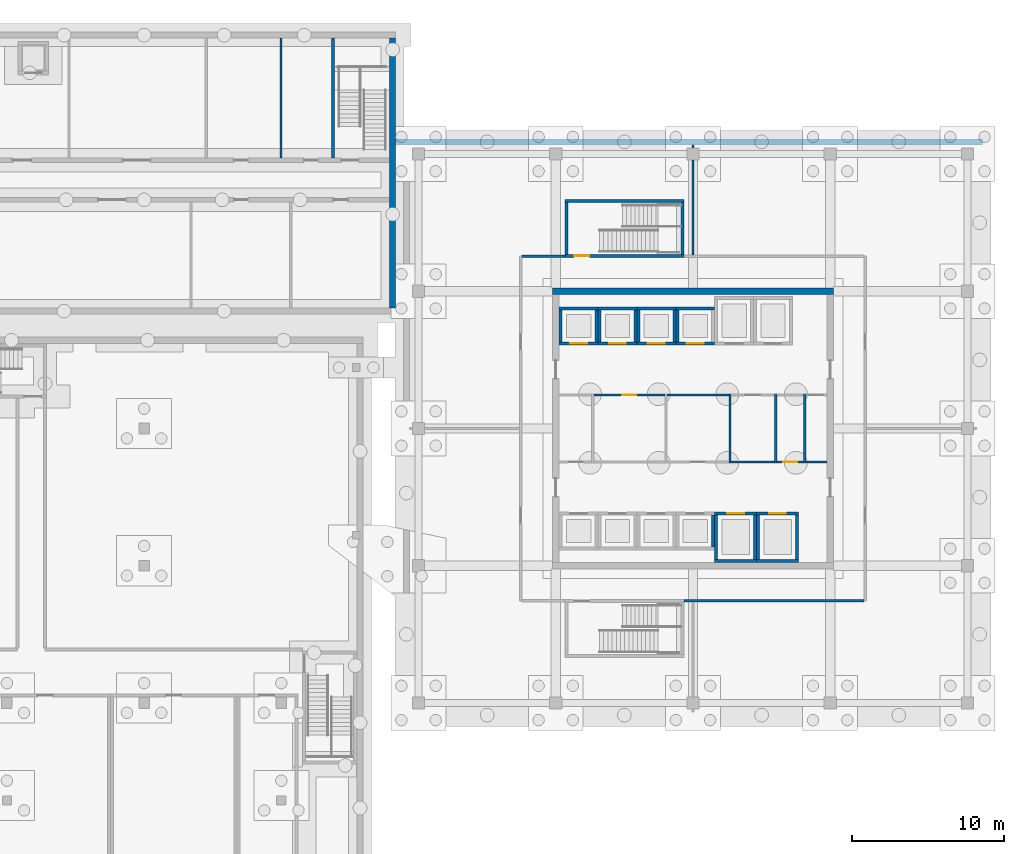
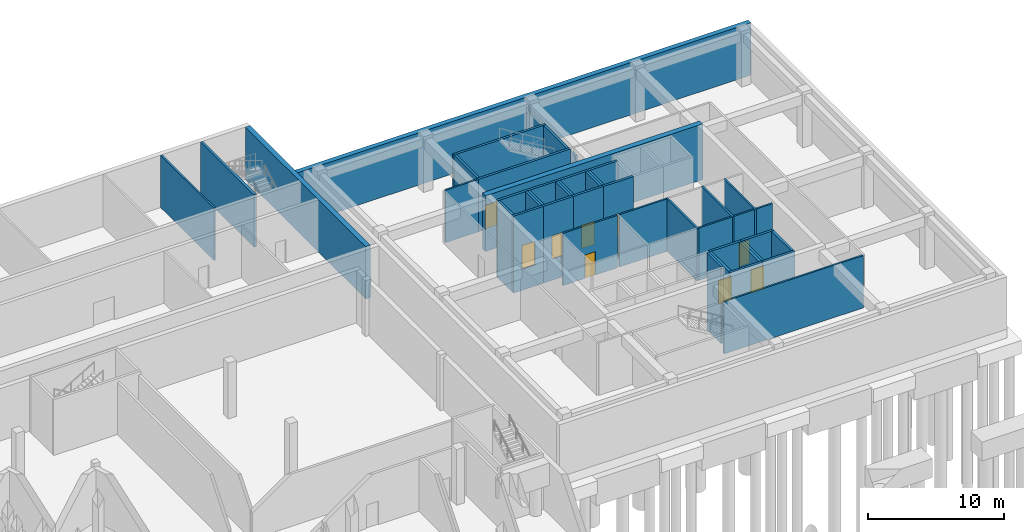
# One storey, part 12 of 17: 44 walls, 9 doors, 9 openings.
"""IFC4 building model written with IfcOpenShell, lengths in metres."""

from ifc_helpers import new_model, si_unit, direction, frame, frame_2d, origin, place, context, subcontext, project, spatial, rectangle, extrude, material, layer, layer_set, type_object, element, fill, save


model = new_model("IFC4")

# Units and contexts
model_context = context("Model", 3, precision=1e-05, world=origin(), true_north=direction((0.0, 1.0)))
body_context = subcontext(model_context, "Body", "Model", "MODEL_VIEW")
ifc_project = project(units=[si_unit("LENGTHUNIT", "METRE"), si_unit("AREAUNIT", "SQUARE_METRE"), si_unit("VOLUMEUNIT", "CUBIC_METRE"), si_unit("PLANEANGLEUNIT", "RADIAN"), si_unit("MASSUNIT", "GRAM", prefix="KILO")], contexts=[model_context])

# Site, building, storey
site_placement = place(None, origin())
site = spatial("IfcSite", under=ifc_project, at=site_placement, CompositionType="ELEMENT")
building_placement = place(site_placement, origin())
building = spatial("IfcBuilding", under=site, at=building_placement, Name="Tuart Plaza Theatre", CompositionType="ELEMENT")
storey_placement = place(building_placement, frame((0.0, 0.0, -10.0)))
storey = spatial("IfcBuildingStorey", under=building, at=storey_placement, Name="B2", CompositionType="ELEMENT", Elevation=-10.0)

# Wall
ifc_material_1 = material(Name="Masonry", Category="masonry")
ifc_layer_1 = layer(ifc_material_1, 0.14990234375)
ifc_layer_set_1 = layer_set([ifc_layer_1], Name="PARTITION BLK150 FRL -/120/120")
wall_type_1 = type_object("IfcWallType", Name="PARTITION BLK150 FRL -/120/120", PredefinedType="PARTITIONING", material=ifc_layer_set_1)
wall_1_placement = place(storey_placement, frame((104.97509765625, 91.75, 0.0), z_axis=(0.0, 0.0, 1.0), x_axis=(0.0, 1.0, 0.0)))
element("IfcWall", 1, at=wall_1_placement, inside=storey, type_object=wall_type_1, Name="P750", PredefinedType="PARTITIONING", context=body_context, shape_type="SweptSolid", body=[
    extrude(rectangle(XDim=7.85009765625, YDim=0.14990234375, at=frame_2d((3.925048828125, 0.0))), origin(), (0.0, 0.0, 1.0), 4.699951171875),
])

# Wall, opening, door
ifc_material_2 = material(Name="Masonry block", Category="masonry")
ifc_layer_2 = layer(ifc_material_2, 0.14990234375)
ifc_layer_set_2 = layer_set([ifc_layer_2], Name="PARTITION BLK150 MASONRYB FRL -/120/120")
wall_type_2 = type_object("IfcWallType", Name="PARTITION BLK150 MASONRYB FRL -/120/120", PredefinedType="PARTITIONING", material=ifc_layer_set_2)
wall_2_placement = place(storey_placement, frame((125.5, 76.199951171875, 0.0), z_axis=(0.0, 0.0, 1.0), x_axis=(1.0, 0.0, 0.0)))
wall_2 = element("IfcWall", 2, at=wall_2_placement, inside=storey, type_object=wall_type_2, Name="P513", PredefinedType="PARTITIONING", context=body_context, shape_type="SweptSolid", body=[
    extrude(rectangle(XDim=4.64990234375, YDim=0.14990234375, at=frame_2d((2.324951171875, 0.0))), origin(), (0.0, 0.0, 1.0), 4.699951171875),
])
opening_1_placement = place(wall_2_placement, frame((1.875, 0.0, 0.0)))
opening_1 = element("IfcOpeningElement", 3, at=opening_1_placement, cuts=wall_2, Name="Opening B2-045", PredefinedType="OPENING", context=body_context, shape_type="SweptSolid", body=[
    extrude(rectangle(XDim=0.89990234375, YDim=2.10009765625, at=frame_2d((0.449951171875, 1.050048828125))), frame((0.0, 0.0849609375, 0.0), z_axis=(0.0, -1.0, 0.0), x_axis=(1.0, 0.0, 0.0)), (0.0, 0.0, 1.0), 0.169921875),
])
ifc_material_3 = material(Name="Steel Grade 300", Category="steel")
door_type_1 = type_object("IfcDoorType", Name="DOOR 900x2100 steel single swing FRL -/120/30", OperationType="SINGLE_SWING_LEFT", PredefinedType="DOOR", material=ifc_material_3)
door_1_placement = place(opening_1_placement, frame((0.89990234375, 0.0, 0.0), z_axis=(0.0, 0.0, 1.0), x_axis=(-1.0, 0.0, 0.0)))
door_1 = element("IfcDoor", 4, at=door_1_placement, inside=storey, type_object=door_type_1, Name="B2-045", OperationType="SINGLE_SWING_LEFT", OverallHeight=2.10009765625, OverallWidth=0.89990234375, PredefinedType="DOOR", context=body_context, shape_type="SweptSolid", body=[
    extrude(rectangle(XDim=0.89990234375, YDim=2.10009765625, at=frame_2d((0.449951171875, 1.050048828125))), frame((0.0, 0.02490234375, 0.0), z_axis=(0.0, -1.0, 0.0), x_axis=(1.0, 0.0, 0.0)), (0.0, 0.0, 1.0), 0.050048828125),
])
fill(opening_1, door_1)

# Walls
wall_3_placement = place(storey_placement, frame((134.425048828125, 71.72509765625, 0.0), z_axis=(0.0, 0.0, 1.0), x_axis=(0.0, 1.0, 0.0)))
element("IfcWall", 5, at=wall_3_placement, inside=storey, type_object=wall_type_2, Name="P514", PredefinedType="PARTITIONING", context=body_context, shape_type="SweptSolid", body=[
    extrude(rectangle(XDim=4.5498046875, YDim=0.14990234375, at=frame_2d((2.27490234375, 0.0))), origin(), (0.0, 0.0, 1.0), 4.699951171875),
])
wall_4_placement = place(storey_placement, frame((130.300048828125, 76.199951171875, 0.0), z_axis=(0.0, 0.0, 1.0), x_axis=(1.0, 0.0, 0.0)))
element("IfcWall", 6, at=wall_4_placement, inside=storey, type_object=wall_type_2, Name="P516", PredefinedType="PARTITIONING", context=body_context, shape_type="SweptSolid", body=[
    extrude(rectangle(XDim=4.050048828125, YDim=0.14990234375, at=frame_2d((2.02490234375, 0.0))), origin(), (0.0, 0.0, 1.0), 4.699951171875),
])
wall_5_placement = place(storey_placement, frame((137.425048828125, 71.72509765625, 0.0), z_axis=(0.0, 0.0, 1.0), x_axis=(0.0, 1.0, 0.0)))
element("IfcWall", 7, at=wall_5_placement, inside=storey, type_object=wall_type_2, Name="P517", PredefinedType="PARTITIONING", context=body_context, shape_type="SweptSolid", body=[
    extrude(rectangle(XDim=4.5498046875, YDim=0.14990234375, at=frame_2d((2.27490234375, 0.0))), origin(), (0.0, 0.0, 1.0), 4.699951171875),
])
wall_6_placement = place(storey_placement, frame((134.5, 71.800048828125, 0.0), z_axis=(0.0, 0.0, 1.0), x_axis=(1.0, 0.0, 0.0)))
element("IfcWall", 8, at=wall_6_placement, inside=storey, type_object=wall_type_2, Name="P518", PredefinedType="PARTITIONING", context=body_context, shape_type="SweptSolid", body=[
    extrude(rectangle(XDim=2.85009765625, YDim=0.14990234375, at=frame_2d((1.425048828125, 0.0))), origin(), (0.0, 0.0, 1.0), 4.699951171875),
])
wall_7_placement = place(storey_placement, frame((139.324951171875, 71.72509765625, 0.0), z_axis=(0.0, 0.0, 1.0), x_axis=(0.0, 1.0, 0.0)))
element("IfcWall", 9, at=wall_7_placement, inside=storey, type_object=wall_type_2, Name="P520", PredefinedType="PARTITIONING", context=body_context, shape_type="SweptSolid", body=[
    extrude(rectangle(XDim=4.5498046875, YDim=0.14990234375, at=frame_2d((2.27490234375, 0.0))), origin(), (0.0, 0.0, 1.0), 4.699951171875),
])

# Wall, opening, door
wall_8_placement = place(storey_placement, frame((137.5, 71.800048828125, 0.0), z_axis=(0.0, 0.0, 1.0), x_axis=(1.0, 0.0, 0.0)))
wall_8 = element("IfcWall", 10, at=wall_8_placement, inside=storey, type_object=wall_type_2, Name="P521", PredefinedType="PARTITIONING", context=body_context, shape_type="SweptSolid", body=[
    extrude(rectangle(XDim=1.75, YDim=0.14990234375, at=frame_2d((0.875, 0.0))), origin(), (0.0, 0.0, 1.0), 4.699951171875),
])
opening_2_placement = place(wall_8_placement, frame((0.425048828125, 0.0, 0.0)))
opening_2 = element("IfcOpeningElement", 11, at=opening_2_placement, cuts=wall_8, Name="Opening B2-048", PredefinedType="OPENING", context=body_context, shape_type="SweptSolid", body=[
    extrude(rectangle(XDim=0.89990234375, YDim=2.10009765625, at=frame_2d((0.449951171875, 1.050048828125))), frame((0.0, 0.0849609375, 0.0), z_axis=(0.0, -1.0, 0.0), x_axis=(1.0, 0.0, 0.0)), (0.0, 0.0, 1.0), 0.169921875),
])
door_2_placement = place(opening_2_placement, origin())
door_2 = element("IfcDoor", 12, at=door_2_placement, inside=storey, type_object=door_type_1, Name="B2-048", OperationType="SINGLE_SWING_LEFT", OverallHeight=2.10009765625, OverallWidth=0.89990234375, PredefinedType="DOOR", context=body_context, shape_type="SweptSolid", body=[
    extrude(rectangle(XDim=0.89990234375, YDim=2.10009765625, at=frame_2d((0.449951171875, 1.050048828125))), frame((0.0, 0.02490234375, 0.0), z_axis=(0.0, -1.0, 0.0), x_axis=(1.0, 0.0, 0.0)), (0.0, 0.0, 1.0), 0.050048828125),
])
fill(opening_2, door_2)

# Walls
wall_9_placement = place(storey_placement, frame((139.39990234375, 71.800048828125, 0.0), z_axis=(0.0, 0.0, 1.0), x_axis=(1.0, 0.0, 0.0)))
element("IfcWall", 13, at=wall_9_placement, inside=storey, type_object=wall_type_2, Name="P523", PredefinedType="PARTITIONING", context=body_context, shape_type="SweptSolid", body=[
    extrude(rectangle(XDim=1.375, YDim=0.14990234375, at=frame_2d((0.6875, 0.0))), origin(), (0.0, 0.0, 1.0), 4.699951171875),
])
ifc_material_4 = material(Name="Masonry block", Category="masonry")
ifc_layer_3 = layer(ifc_material_4, 0.14990234375)
ifc_layer_set_3 = layer_set([ifc_layer_3], Name="PARTITION BLK150 MASONRYB FRL 120/-/-")
wall_type_3 = type_object("IfcWallType", Name="PARTITION BLK150 MASONRYB FRL 120/-/-", PredefinedType="PARTITIONING", material=ifc_layer_set_3)
wall_10_placement = place(storey_placement, frame((143.22509765625, 62.699951171875, 0.0), z_axis=(0.0, 0.0, 1.0), x_axis=(-1.0, 0.0, 0.0)))
element("IfcWall", 14, at=wall_10_placement, inside=storey, type_object=wall_type_3, Name="P527", PredefinedType="PARTITIONING", context=body_context, shape_type="SweptSolid", body=[
    extrude(rectangle(XDim=11.8251953125, YDim=0.14990234375, at=frame_2d((5.91259765625, 0.0))), origin(), (0.0, 0.0, 1.0), 4.699951171875),
])
wall_11_placement = place(storey_placement, frame((120.77490234375, 85.300048828125, 0.0), z_axis=(0.0, 0.0, 1.0), x_axis=(1.0, 0.0, 0.0)))
element("IfcWall", 15, at=wall_11_placement, inside=storey, type_object=wall_type_3, Name="P528", PredefinedType="PARTITIONING", context=body_context, shape_type="SweptSolid", body=[
    extrude(rectangle(XDim=2.8251953125, YDim=0.14990234375, at=frame_2d((1.41259765625, 0.0))), origin(), (0.0, 0.0, 1.0), 4.699951171875),
])
wall_12_placement = place(storey_placement, frame((132.0, 85.3740234375, 0.0), z_axis=(0.0, 0.0, 1.0), x_axis=(0.0, 1.0, 0.0)))
element("IfcWall", 16, at=wall_12_placement, inside=storey, type_object=wall_type_3, Name="P532", PredefinedType="PARTITIONING", context=body_context, shape_type="SweptSolid", body=[
    extrude(rectangle(XDim=7.22705078125, YDim=0.14990234375, at=frame_2d((3.613525390625, 0.0))), origin(), (0.0, 0.0, 1.0), 3.800048828125),
])
ifc_material_5 = material(Name="Concrete N40 (40 MPa)", Category="concrete")
ifc_layer_4 = layer(ifc_material_5, 0.199951171875)
ifc_layer_set_4 = layer_set([ifc_layer_4], Name="SHEAR WALL RC200 FRL 120/120/120")
wall_type_4 = type_object("IfcWallType", Name="SHEAR WALL RC200 FRL 120/120/120", PredefinedType="SHEAR", material=ifc_layer_set_4)
wall_13_placement = place(storey_placement, frame((133.324951171875, 66.22509765625, -1.89990234375), z_axis=(0.0, 0.0, 1.0), x_axis=(0.0, 1.0, 0.0)))
element("IfcWall", 17, at=wall_13_placement, inside=storey, type_object=wall_type_4, Name="W675", PredefinedType="SHEAR", context=body_context, shape_type="SweptSolid", body=[
    extrude(rectangle(XDim=2.099853515625, YDim=0.199951171875, at=frame_2d((1.0498046875, 0.0))), origin(), (0.0, 0.0, 1.0), 6.89990234375),
])

# Wall, opening, door
wall_14_placement = place(storey_placement, frame((123.22509765625, 79.574951171875, -1.89990234375), z_axis=(0.0, 0.0, 1.0), x_axis=(1.0, 0.0, 0.0)))
wall_14 = element("IfcWall", 18, at=wall_14_placement, inside=storey, type_object=wall_type_4, Name="W718", PredefinedType="SHEAR", context=body_context, shape_type="SweptSolid", body=[
    extrude(rectangle(XDim=2.5498046875, YDim=0.199951171875, at=frame_2d((1.27490234375, 0.0))), origin(), (0.0, 0.0, 1.0), 6.89990234375),
])
opening_3_placement = place(wall_14_placement, frame((0.72509765625, 0.0, 1.89990234375)))
opening_3 = element("IfcOpeningElement", 19, at=opening_3_placement, cuts=wall_14, Name="Opening B2-030", PredefinedType="OPENING", context=body_context, shape_type="SweptSolid", body=[
    extrude(rectangle(XDim=1.10009765625, YDim=2.10009765625, at=frame_2d((0.550048828125, 1.050048828125))), frame((0.0, 0.10986328125, 0.0), z_axis=(0.0, -1.0, 0.0), x_axis=(1.0, 0.0, 0.0)), (0.0, 0.0, 1.0), 0.219970703125),
])
ifc_material_6 = material(Name="Steel Grade 300", Category="steel")
door_type_2 = type_object("IfcDoorType", Name="LANDING DOOR 1100x2100 steel sliding FRL -/120/30", OperationType="SLIDING_TO_LEFT", PredefinedType="DOOR", material=ifc_material_6)
door_3_placement = place(opening_3_placement, origin())
door_3 = element("IfcDoor", 20, at=door_3_placement, inside=storey, type_object=door_type_2, Name="B2-030", OperationType="SLIDING_TO_LEFT", OverallHeight=2.10009765625, OverallWidth=1.10009765625, PredefinedType="DOOR", context=body_context, shape_type="SweptSolid", body=[
    extrude(rectangle(XDim=1.10009765625, YDim=2.10009765625, at=frame_2d((0.550048828125, 1.050048828125))), frame((0.0, 0.02490234375, 0.0), z_axis=(0.0, -1.0, 0.0), x_axis=(1.0, 0.0, 0.0)), (0.0, 0.0, 1.0), 0.050048828125),
])
fill(opening_3, door_3)

# Walls
wall_15_placement = place(storey_placement, frame((125.675048828125, 79.675048828125, -1.89990234375), z_axis=(0.0, 0.0, 1.0), x_axis=(0.0, 1.0, 0.0)))
element("IfcWall", 21, at=wall_15_placement, inside=storey, type_object=wall_type_4, Name="W719", PredefinedType="SHEAR", context=body_context, shape_type="SweptSolid", body=[
    extrude(rectangle(XDim=2.099853515625, YDim=0.199951171875, at=frame_2d((1.0498046875, 0.0))), origin(), (0.0, 0.0, 1.0), 6.89990234375),
])
wall_16_placement = place(storey_placement, frame((125.77490234375, 81.875, -1.89990234375), z_axis=(0.0, 0.0, 1.0), x_axis=(-1.0, 0.0, 0.0)))
element("IfcWall", 22, at=wall_16_placement, inside=storey, type_object=wall_type_4, Name="W720", PredefinedType="SHEAR", context=body_context, shape_type="SweptSolid", body=[
    extrude(rectangle(XDim=2.5498046875, YDim=0.199951171875, at=frame_2d((1.27490234375, 0.0))), origin(), (0.0, 0.0, 1.0), 6.89990234375),
])
wall_17_placement = place(storey_placement, frame((123.324951171875, 81.77490234375, -1.89990234375), z_axis=(0.0, 0.0, 1.0), x_axis=(0.0, -1.0, 0.0)))
element("IfcWall", 23, at=wall_17_placement, inside=storey, type_object=wall_type_4, Name="W721", PredefinedType="SHEAR", context=body_context, shape_type="SweptSolid", body=[
    extrude(rectangle(XDim=2.099853515625, YDim=0.199951171875, at=frame_2d((1.0498046875, 0.0))), origin(), (0.0, 0.0, 1.0), 6.89990234375),
])

# Wall, opening, door
wall_18_placement = place(storey_placement, frame((125.77490234375, 79.574951171875, -1.89990234375), z_axis=(0.0, 0.0, 1.0), x_axis=(1.0, 0.0, 0.0)))
wall_18 = element("IfcWall", 24, at=wall_18_placement, inside=storey, type_object=wall_type_4, Name="W790", PredefinedType="SHEAR", context=body_context, shape_type="SweptSolid", body=[
    extrude(rectangle(XDim=2.550048828125, YDim=0.199951171875, at=frame_2d((1.27490234375, 0.0))), origin(), (0.0, 0.0, 1.0), 6.89990234375),
])
opening_4_placement = place(wall_18_placement, frame((0.72509765625, 0.0, 1.89990234375)))
opening_4 = element("IfcOpeningElement", 25, at=opening_4_placement, cuts=wall_18, Name="Opening B2-031", PredefinedType="OPENING", context=body_context, shape_type="SweptSolid", body=[
    extrude(rectangle(XDim=1.10009765625, YDim=2.10009765625, at=frame_2d((0.550048828125, 1.050048828125))), frame((0.0, 0.10986328125, 0.0), z_axis=(0.0, -1.0, 0.0), x_axis=(1.0, 0.0, 0.0)), (0.0, 0.0, 1.0), 0.219970703125),
])
door_4_placement = place(opening_4_placement, origin())
door_4 = element("IfcDoor", 26, at=door_4_placement, inside=storey, type_object=door_type_2, Name="B2-031", OperationType="SLIDING_TO_LEFT", OverallHeight=2.10009765625, OverallWidth=1.10009765625, PredefinedType="DOOR", context=body_context, shape_type="SweptSolid", body=[
    extrude(rectangle(XDim=1.10009765625, YDim=2.10009765625, at=frame_2d((0.550048828125, 1.050048828125))), frame((0.0, 0.02490234375, 0.0), z_axis=(0.0, -1.0, 0.0), x_axis=(1.0, 0.0, 0.0)), (0.0, 0.0, 1.0), 0.050048828125),
])
fill(opening_4, door_4)

# Walls
wall_19_placement = place(storey_placement, frame((128.22509765625, 79.675048828125, -1.89990234375), z_axis=(0.0, 0.0, 1.0), x_axis=(0.0, 1.0, 0.0)))
element("IfcWall", 27, at=wall_19_placement, inside=storey, type_object=wall_type_4, Name="W791", PredefinedType="SHEAR", context=body_context, shape_type="SweptSolid", body=[
    extrude(rectangle(XDim=2.099853515625, YDim=0.199951171875, at=frame_2d((1.0498046875, 0.0))), origin(), (0.0, 0.0, 1.0), 6.89990234375),
])
wall_20_placement = place(storey_placement, frame((128.324951171875, 81.875, -1.89990234375), z_axis=(0.0, 0.0, 1.0), x_axis=(-1.0, 0.0, 0.0)))
element("IfcWall", 28, at=wall_20_placement, inside=storey, type_object=wall_type_4, Name="W792", PredefinedType="SHEAR", context=body_context, shape_type="SweptSolid", body=[
    extrude(rectangle(XDim=2.550048828125, YDim=0.199951171875, at=frame_2d((1.27490234375, 0.0))), origin(), (0.0, 0.0, 1.0), 6.89990234375),
])
wall_21_placement = place(storey_placement, frame((125.875, 81.77490234375, -1.89990234375), z_axis=(0.0, 0.0, 1.0), x_axis=(0.0, -1.0, 0.0)))
element("IfcWall", 29, at=wall_21_placement, inside=storey, type_object=wall_type_4, Name="W793", PredefinedType="SHEAR", context=body_context, shape_type="SweptSolid", body=[
    extrude(rectangle(XDim=2.099853515625, YDim=0.199951171875, at=frame_2d((1.0498046875, 0.0))), origin(), (0.0, 0.0, 1.0), 6.89990234375),
])

# Wall, opening, door
wall_22_placement = place(storey_placement, frame((128.324951171875, 79.574951171875, -1.89990234375), z_axis=(0.0, 0.0, 1.0), x_axis=(1.0, 0.0, 0.0)))
wall_22 = element("IfcWall", 30, at=wall_22_placement, inside=storey, type_object=wall_type_4, Name="W862", PredefinedType="SHEAR", context=body_context, shape_type="SweptSolid", body=[
    extrude(rectangle(XDim=2.550048828125, YDim=0.199951171875, at=frame_2d((1.27490234375, 0.0))), origin(), (0.0, 0.0, 1.0), 6.89990234375),
])
opening_5_placement = place(wall_22_placement, frame((0.72509765625, 0.0, 1.89990234375)))
opening_5 = element("IfcOpeningElement", 31, at=opening_5_placement, cuts=wall_22, Name="Opening B2-032", PredefinedType="OPENING", context=body_context, shape_type="SweptSolid", body=[
    extrude(rectangle(XDim=1.10009765625, YDim=2.10009765625, at=frame_2d((0.550048828125, 1.050048828125))), frame((0.0, 0.10986328125, 0.0), z_axis=(0.0, -1.0, 0.0), x_axis=(1.0, 0.0, 0.0)), (0.0, 0.0, 1.0), 0.219970703125),
])
door_5_placement = place(opening_5_placement, origin())
door_5 = element("IfcDoor", 32, at=door_5_placement, inside=storey, type_object=door_type_2, Name="B2-032", OperationType="SLIDING_TO_LEFT", OverallHeight=2.10009765625, OverallWidth=1.10009765625, PredefinedType="DOOR", context=body_context, shape_type="SweptSolid", body=[
    extrude(rectangle(XDim=1.10009765625, YDim=2.10009765625, at=frame_2d((0.550048828125, 1.050048828125))), frame((0.0, 0.02490234375, 0.0), z_axis=(0.0, -1.0, 0.0), x_axis=(1.0, 0.0, 0.0)), (0.0, 0.0, 1.0), 0.050048828125),
])
fill(opening_5, door_5)

# Walls
wall_23_placement = place(storey_placement, frame((130.77490234375, 79.675048828125, -1.89990234375), z_axis=(0.0, 0.0, 1.0), x_axis=(0.0, 1.0, 0.0)))
element("IfcWall", 33, at=wall_23_placement, inside=storey, type_object=wall_type_4, Name="W863", PredefinedType="SHEAR", context=body_context, shape_type="SweptSolid", body=[
    extrude(rectangle(XDim=2.099853515625, YDim=0.199951171875, at=frame_2d((1.0498046875, 0.0))), origin(), (0.0, 0.0, 1.0), 6.89990234375),
])
wall_24_placement = place(storey_placement, frame((130.875, 81.875, -1.89990234375), z_axis=(0.0, 0.0, 1.0), x_axis=(-1.0, 0.0, 0.0)))
element("IfcWall", 34, at=wall_24_placement, inside=storey, type_object=wall_type_4, Name="W864", PredefinedType="SHEAR", context=body_context, shape_type="SweptSolid", body=[
    extrude(rectangle(XDim=2.550048828125, YDim=0.199951171875, at=frame_2d((1.27490234375, 0.0))), origin(), (0.0, 0.0, 1.0), 6.89990234375),
])
wall_25_placement = place(storey_placement, frame((128.425048828125, 81.77490234375, -1.89990234375), z_axis=(0.0, 0.0, 1.0), x_axis=(0.0, -1.0, 0.0)))
element("IfcWall", 35, at=wall_25_placement, inside=storey, type_object=wall_type_4, Name="W865", PredefinedType="SHEAR", context=body_context, shape_type="SweptSolid", body=[
    extrude(rectangle(XDim=2.099853515625, YDim=0.199951171875, at=frame_2d((1.0498046875, 0.0))), origin(), (0.0, 0.0, 1.0), 6.89990234375),
])

# Wall, opening, door
wall_26_placement = place(storey_placement, frame((130.875, 79.574951171875, -1.89990234375), z_axis=(0.0, 0.0, 1.0), x_axis=(1.0, 0.0, 0.0)))
wall_26 = element("IfcWall", 36, at=wall_26_placement, inside=storey, type_object=wall_type_4, Name="W934", PredefinedType="SHEAR", context=body_context, shape_type="SweptSolid", body=[
    extrude(rectangle(XDim=2.550048828125, YDim=0.199951171875, at=frame_2d((1.27490234375, 0.0))), origin(), (0.0, 0.0, 1.0), 6.89990234375),
])
opening_6_placement = place(wall_26_placement, frame((0.72509765625, 0.0, 1.89990234375)))
opening_6 = element("IfcOpeningElement", 37, at=opening_6_placement, cuts=wall_26, Name="Opening B2-033", PredefinedType="OPENING", context=body_context, shape_type="SweptSolid", body=[
    extrude(rectangle(XDim=1.10009765625, YDim=2.10009765625, at=frame_2d((0.550048828125, 1.050048828125))), frame((0.0, 0.10986328125, 0.0), z_axis=(0.0, -1.0, 0.0), x_axis=(1.0, 0.0, 0.0)), (0.0, 0.0, 1.0), 0.219970703125),
])
door_6_placement = place(opening_6_placement, origin())
door_6 = element("IfcDoor", 38, at=door_6_placement, inside=storey, type_object=door_type_2, Name="B2-033", OperationType="SLIDING_TO_LEFT", OverallHeight=2.10009765625, OverallWidth=1.10009765625, PredefinedType="DOOR", context=body_context, shape_type="SweptSolid", body=[
    extrude(rectangle(XDim=1.10009765625, YDim=2.10009765625, at=frame_2d((0.550048828125, 1.050048828125))), frame((0.0, 0.02490234375, 0.0), z_axis=(0.0, -1.0, 0.0), x_axis=(1.0, 0.0, 0.0)), (0.0, 0.0, 1.0), 0.050048828125),
])
fill(opening_6, door_6)

# Walls
wall_27_placement = place(storey_placement, frame((133.425048828125, 81.875, -1.89990234375), z_axis=(0.0, 0.0, 1.0), x_axis=(-1.0, 0.0, 0.0)))
element("IfcWall", 39, at=wall_27_placement, inside=storey, type_object=wall_type_4, Name="W936", PredefinedType="SHEAR", context=body_context, shape_type="SweptSolid", body=[
    extrude(rectangle(XDim=2.550048828125, YDim=0.199951171875, at=frame_2d((1.27490234375, 0.0))), origin(), (0.0, 0.0, 1.0), 6.89990234375),
])
wall_28_placement = place(storey_placement, frame((130.97509765625, 81.77490234375, -1.89990234375), z_axis=(0.0, 0.0, 1.0), x_axis=(0.0, -1.0, 0.0)))
element("IfcWall", 40, at=wall_28_placement, inside=storey, type_object=wall_type_4, Name="W937", PredefinedType="SHEAR", context=body_context, shape_type="SweptSolid", body=[
    extrude(rectangle(XDim=2.099853515625, YDim=0.199951171875, at=frame_2d((1.0498046875, 0.0))), origin(), (0.0, 0.0, 1.0), 6.89990234375),
])
wall_29_placement = place(storey_placement, frame((133.425048828125, 65.324951171875, -1.89990234375), z_axis=(0.0, 0.0, 1.0), x_axis=(1.0, 0.0, 0.0)))
element("IfcWall", 41, at=wall_29_placement, inside=storey, type_object=wall_type_4, Name="W1006", PredefinedType="SHEAR", context=body_context, shape_type="SweptSolid", body=[
    extrude(rectangle(XDim=2.75, YDim=0.199951171875, at=frame_2d((1.375, 0.0))), origin(), (0.0, 0.0, 1.0), 6.89990234375),
])
wall_30_placement = place(storey_placement, frame((136.074951171875, 65.425048828125, -1.89990234375), z_axis=(0.0, 0.0, 1.0), x_axis=(0.0, 1.0, 0.0)))
element("IfcWall", 42, at=wall_30_placement, inside=storey, type_object=wall_type_4, Name="W1007", PredefinedType="SHEAR", context=body_context, shape_type="SweptSolid", body=[
    extrude(rectangle(XDim=2.89990234375, YDim=0.199951171875, at=frame_2d((1.449951171875, 0.0))), origin(), (0.0, 0.0, 1.0), 6.89990234375),
])

# Wall, opening, door
wall_31_placement = place(storey_placement, frame((136.175048828125, 68.425048828125, -1.89990234375), z_axis=(0.0, 0.0, 1.0), x_axis=(-1.0, 0.0, 0.0)))
wall_31 = element("IfcWall", 43, at=wall_31_placement, inside=storey, type_object=wall_type_4, Name="W1008", PredefinedType="SHEAR", context=body_context, shape_type="SweptSolid", body=[
    extrude(rectangle(XDim=2.75, YDim=0.199951171875, at=frame_2d((1.375, 0.0))), origin(), (0.0, 0.0, 1.0), 6.89990234375),
])
opening_7_placement = place(wall_31_placement, frame((0.824951171875, 0.0, 1.89990234375)))
opening_7 = element("IfcOpeningElement", 44, at=opening_7_placement, cuts=wall_31, Name="Opening B2-034", PredefinedType="OPENING", context=body_context, shape_type="SweptSolid", body=[
    extrude(rectangle(XDim=1.10009765625, YDim=2.10009765625, at=frame_2d((0.550048828125, 1.050048828125))), frame((0.0, 0.10986328125, 0.0), z_axis=(0.0, -1.0, 0.0), x_axis=(1.0, 0.0, 0.0)), (0.0, 0.0, 1.0), 0.219970703125),
])
door_7_placement = place(opening_7_placement, origin())
door_7 = element("IfcDoor", 45, at=door_7_placement, inside=storey, type_object=door_type_2, Name="B2-034", OperationType="SLIDING_TO_LEFT", OverallHeight=2.10009765625, OverallWidth=1.10009765625, PredefinedType="DOOR", context=body_context, shape_type="SweptSolid", body=[
    extrude(rectangle(XDim=1.10009765625, YDim=2.10009765625, at=frame_2d((0.550048828125, 1.050048828125))), frame((0.0, 0.02490234375, 0.0), z_axis=(0.0, -1.0, 0.0), x_axis=(1.0, 0.0, 0.0)), (0.0, 0.0, 1.0), 0.050048828125),
])
fill(opening_7, door_7)

# Walls
wall_32_placement = place(storey_placement, frame((133.52490234375, 68.324951171875, -1.89990234375), z_axis=(0.0, 0.0, 1.0), x_axis=(0.0, -1.0, 0.0)))
element("IfcWall", 46, at=wall_32_placement, inside=storey, type_object=wall_type_4, Name="W1009", PredefinedType="SHEAR", context=body_context, shape_type="SweptSolid", body=[
    extrude(rectangle(XDim=2.89990234375, YDim=0.199951171875, at=frame_2d((1.449951171875, 0.0))), origin(), (0.0, 0.0, 1.0), 6.89990234375),
])
wall_33_placement = place(storey_placement, frame((136.175048828125, 65.324951171875, -1.89990234375), z_axis=(0.0, 0.0, 1.0), x_axis=(1.0, 0.0, 0.0)))
element("IfcWall", 47, at=wall_33_placement, inside=storey, type_object=wall_type_4, Name="W1082", PredefinedType="SHEAR", context=body_context, shape_type="SweptSolid", body=[
    extrude(rectangle(XDim=2.75, YDim=0.199951171875, at=frame_2d((1.375, 0.0))), origin(), (0.0, 0.0, 1.0), 6.89990234375),
])
wall_34_placement = place(storey_placement, frame((138.824951171875, 65.425048828125, -1.89990234375), z_axis=(0.0, 0.0, 1.0), x_axis=(0.0, 1.0, 0.0)))
element("IfcWall", 48, at=wall_34_placement, inside=storey, type_object=wall_type_4, Name="W1083", PredefinedType="SHEAR", context=body_context, shape_type="SweptSolid", body=[
    extrude(rectangle(XDim=2.89990234375, YDim=0.199951171875, at=frame_2d((1.449951171875, 0.0))), origin(), (0.0, 0.0, 1.0), 6.89990234375),
])

# Wall, opening, door
wall_35_placement = place(storey_placement, frame((138.925048828125, 68.425048828125, -1.89990234375), z_axis=(0.0, 0.0, 1.0), x_axis=(-1.0, 0.0, 0.0)))
wall_35 = element("IfcWall", 49, at=wall_35_placement, inside=storey, type_object=wall_type_4, Name="W1084", PredefinedType="SHEAR", context=body_context, shape_type="SweptSolid", body=[
    extrude(rectangle(XDim=2.75, YDim=0.199951171875, at=frame_2d((1.375, 0.0))), origin(), (0.0, 0.0, 1.0), 6.89990234375),
])
opening_8_placement = place(wall_35_placement, frame((0.824951171875, 0.0, 1.89990234375)))
opening_8 = element("IfcOpeningElement", 50, at=opening_8_placement, cuts=wall_35, Name="Opening B2-035", PredefinedType="OPENING", context=body_context, shape_type="SweptSolid", body=[
    extrude(rectangle(XDim=1.10009765625, YDim=2.10009765625, at=frame_2d((0.550048828125, 1.050048828125))), frame((0.0, 0.10986328125, 0.0), z_axis=(0.0, -1.0, 0.0), x_axis=(1.0, 0.0, 0.0)), (0.0, 0.0, 1.0), 0.219970703125),
])
door_8_placement = place(opening_8_placement, origin())
door_8 = element("IfcDoor", 51, at=door_8_placement, inside=storey, type_object=door_type_2, Name="B2-035", OperationType="SLIDING_TO_LEFT", OverallHeight=2.10009765625, OverallWidth=1.10009765625, PredefinedType="DOOR", context=body_context, shape_type="SweptSolid", body=[
    extrude(rectangle(XDim=1.10009765625, YDim=2.10009765625, at=frame_2d((0.550048828125, 1.050048828125))), frame((0.0, 0.02490234375, 0.0), z_axis=(0.0, -1.0, 0.0), x_axis=(1.0, 0.0, 0.0)), (0.0, 0.0, 1.0), 0.050048828125),
])
fill(opening_8, door_8)

# Wall
wall_36_placement = place(storey_placement, frame((136.27490234375, 68.324951171875, -1.89990234375), z_axis=(0.0, 0.0, 1.0), x_axis=(0.0, -1.0, 0.0)))
element("IfcWall", 52, at=wall_36_placement, inside=storey, type_object=wall_type_4, Name="W1085", PredefinedType="SHEAR", context=body_context, shape_type="SweptSolid", body=[
    extrude(rectangle(XDim=2.89990234375, YDim=0.199951171875, at=frame_2d((1.449951171875, 0.0))), origin(), (0.0, 0.0, 1.0), 6.89990234375),
])

# Wall, opening, door
wall_37_placement = place(storey_placement, frame((123.60009765625, 85.324951171875, 0.0), z_axis=(0.0, 0.0, 1.0), x_axis=(1.0, 0.0, 0.0)))
wall_37 = element("IfcWall", 53, at=wall_37_placement, inside=storey, type_object=wall_type_4, Name="P488", PredefinedType="SHEAR", context=body_context, shape_type="SweptSolid", body=[
    extrude(rectangle(XDim=7.7998046875, YDim=0.199951171875, at=frame_2d((3.89990234375, 0.0))), origin(), (0.0, 0.0, 1.0), 4.699951171875),
])
opening_9_placement = place(wall_37_placement, frame((0.60009765625, 0.0, 0.0)))
opening_9 = element("IfcOpeningElement", 54, at=opening_9_placement, cuts=wall_37, Name="Opening B2-039", PredefinedType="OPENING", context=body_context, shape_type="SweptSolid", body=[
    extrude(rectangle(XDim=1.0, YDim=2.10009765625, at=frame_2d((0.5, 1.050048828125))), frame((0.0, 0.10986328125, 0.0), z_axis=(0.0, -1.0, 0.0), x_axis=(1.0, 0.0, 0.0)), (0.0, 0.0, 1.0), 0.219970703125),
])
ifc_material_7 = material(Name="Steel Grade 300", Category="steel")
door_type_3 = type_object("IfcDoorType", Name="DOOR 1000x2100 steel single swing FRL -/120/30", OperationType="SINGLE_SWING_LEFT", PredefinedType="DOOR", material=ifc_material_7)
door_9_placement = place(opening_9_placement, origin())
door_9 = element("IfcDoor", 55, at=door_9_placement, inside=storey, type_object=door_type_3, Name="B2-039", OperationType="SINGLE_SWING_RIGHT", OverallHeight=2.10009765625, OverallWidth=1.0, PredefinedType="DOOR", context=body_context, shape_type="SweptSolid", body=[
    extrude(rectangle(XDim=1.0, YDim=2.10009765625, at=frame_2d((0.5, 1.050048828125))), frame((0.0, 0.02490234375, 0.0), z_axis=(0.0, -1.0, 0.0), x_axis=(1.0, 0.0, 0.0)), (0.0, 0.0, 1.0), 0.050048828125),
])
fill(opening_9, door_9)

# Walls
wall_38_placement = place(storey_placement, frame((131.300048828125, 85.425048828125, 0.0), z_axis=(0.0, 0.0, 1.0), x_axis=(0.0, 1.0, 0.0)))
element("IfcWall", 56, at=wall_38_placement, inside=storey, type_object=wall_type_4, Name="P489", PredefinedType="SHEAR", context=body_context, shape_type="SweptSolid", body=[
    extrude(rectangle(XDim=3.39990234375, YDim=0.199951171875, at=frame_2d((1.699951171875, 0.0))), origin(), (0.0, 0.0, 1.0), 4.699951171875),
])
wall_39_placement = place(storey_placement, frame((131.39990234375, 88.925048828125, 0.0), z_axis=(0.0, 0.0, 1.0), x_axis=(-1.0, 0.0, 0.0)))
element("IfcWall", 57, at=wall_39_placement, inside=storey, type_object=wall_type_4, Name="P490", PredefinedType="SHEAR", context=body_context, shape_type="SweptSolid", body=[
    extrude(rectangle(XDim=7.7998046875, YDim=0.199951171875, at=frame_2d((3.89990234375, 0.0))), origin(), (0.0, 0.0, 1.0), 4.699951171875),
])
wall_40_placement = place(storey_placement, frame((123.699951171875, 88.824951171875, 0.0), z_axis=(0.0, 0.0, 1.0), x_axis=(0.0, -1.0, 0.0)))
element("IfcWall", 58, at=wall_40_placement, inside=storey, type_object=wall_type_4, Name="P491", PredefinedType="SHEAR", context=body_context, shape_type="SweptSolid", body=[
    extrude(rectangle(XDim=3.39990234375, YDim=0.199951171875, at=frame_2d((1.699951171875, 0.0))), origin(), (0.0, 0.0, 1.0), 4.699951171875),
])
ifc_material_8 = material(Name="Concrete N50 (50 MPa)", Category="concrete")
ifc_layer_5 = layer(ifc_material_8, 0.449951171875)
ifc_layer_set_5 = layer_set([ifc_layer_5], Name="SHEAR WALL RC450 N50 FRL 120/120/120")
wall_type_5 = type_object("IfcWallType", Name="SHEAR WALL RC450 N50 FRL 120/120/120", PredefinedType="SHEAR", material=ifc_layer_set_5)
wall_41_placement = place(storey_placement, frame((141.22509765625, 83.0, 0.0), z_axis=(0.0, 0.0, 1.0), x_axis=(-1.0, 0.0, 0.0)))
element("IfcWall", 59, at=wall_41_placement, inside=storey, type_object=wall_type_5, Name="W341", PredefinedType="SHEAR", context=body_context, shape_type="SweptSolid", body=[
    extrude(rectangle(XDim=18.4501953125, YDim=0.449951171875, at=frame_2d((9.22509765625, 0.0))), origin(), (0.0, 0.0, 1.0), 5.0),
])
ifc_material_9 = material(Name="Concrete N40 (40 MPa)", Category="concrete")
ifc_layer_6 = layer(ifc_material_9, 0.199951171875)
ifc_layer_set_6 = layer_set([ifc_layer_6], Name="WALL RC200 LB FRL 120/120/120")
wall_type_6 = type_object("IfcWallType", Name="WALL RC200 LB FRL 120/120/120", PredefinedType="SOLIDWALL", material=ifc_layer_set_6)
wall_42_placement = place(storey_placement, frame((108.39990234375, 91.75, 0.0), z_axis=(0.0, 0.0, 1.0), x_axis=(0.0, 1.0, 0.0)))
element("IfcWall", 60, at=wall_42_placement, inside=storey, type_object=wall_type_6, Name="W1547", PredefinedType="SOLIDWALL", context=body_context, shape_type="SweptSolid", body=[
    extrude(rectangle(XDim=7.85009765625, YDim=0.199951171875, at=frame_2d((3.925048828125, 0.0))), origin(), (0.0, 0.0, 1.0), 4.699951171875),
])
ifc_material_10 = material(Name="Concrete N40 (40 MPa)", Category="concrete")
ifc_layer_7 = layer(ifc_material_10, 0.39990234375)
ifc_layer_set_7 = layer_set([ifc_layer_7], Name="WALL RC400 LB FRL 120/120/120")
wall_type_7 = type_object("IfcWallType", Name="WALL RC400 LB FRL 120/120/120", PredefinedType="SOLIDWALL", material=ifc_layer_set_7)
wall_43_placement = place(storey_placement, frame((151.0, 92.800048828125, 0.0), z_axis=(0.0, 0.0, 1.0), x_axis=(-1.0, 0.0, 0.0)))
element("IfcWall", 61, at=wall_43_placement, inside=storey, type_object=wall_type_7, Name="W453", PredefinedType="SOLIDWALL", context=body_context, shape_type="SweptSolid", body=[
    extrude(rectangle(XDim=38.5, YDim=0.39990234375, at=frame_2d((19.25, 0.0))), origin(), (0.0, 0.0, 1.0), 4.699951171875),
])
ifc_material_11 = material(Name="Concrete N40 (40 MPa)", Category="concrete")
ifc_layer_8 = layer(ifc_material_11, 0.39990234375)
ifc_layer_set_8 = layer_set([ifc_layer_8], Name="WALL RC400 LB FRL 120/120/120 EXT")
wall_type_8 = type_object("IfcWallType", Name="WALL RC400 LB FRL 120/120/120 EXT", PredefinedType="SOLIDWALL", material=ifc_layer_set_8)
wall_44_placement = place(storey_placement, frame((112.300048828125, 81.89990234375, 0.0), z_axis=(0.0, 0.0, 1.0), x_axis=(0.0, 1.0, 0.0)))
element("IfcWall", 62, at=wall_44_placement, inside=storey, type_object=wall_type_8, Name="W464", PredefinedType="SOLIDWALL", context=body_context, shape_type="SweptSolid", body=[
    extrude(rectangle(XDim=17.7001953125, YDim=0.39990234375, at=frame_2d((8.85009765625, 0.0))), origin(), (0.0, 0.0, 1.0), 4.699951171875),
])

save(model, "model.ifc")
